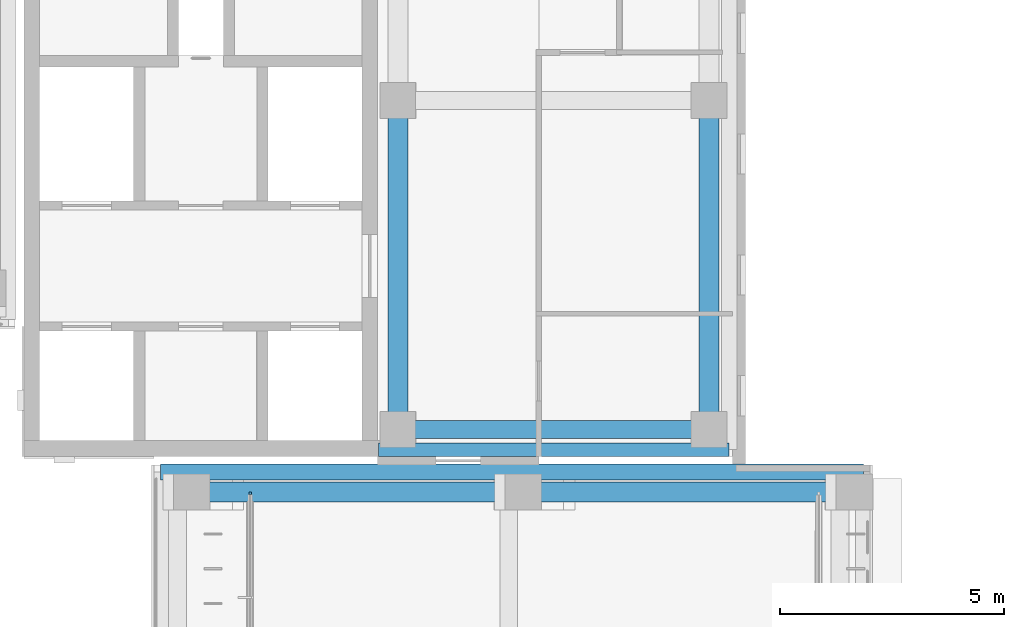
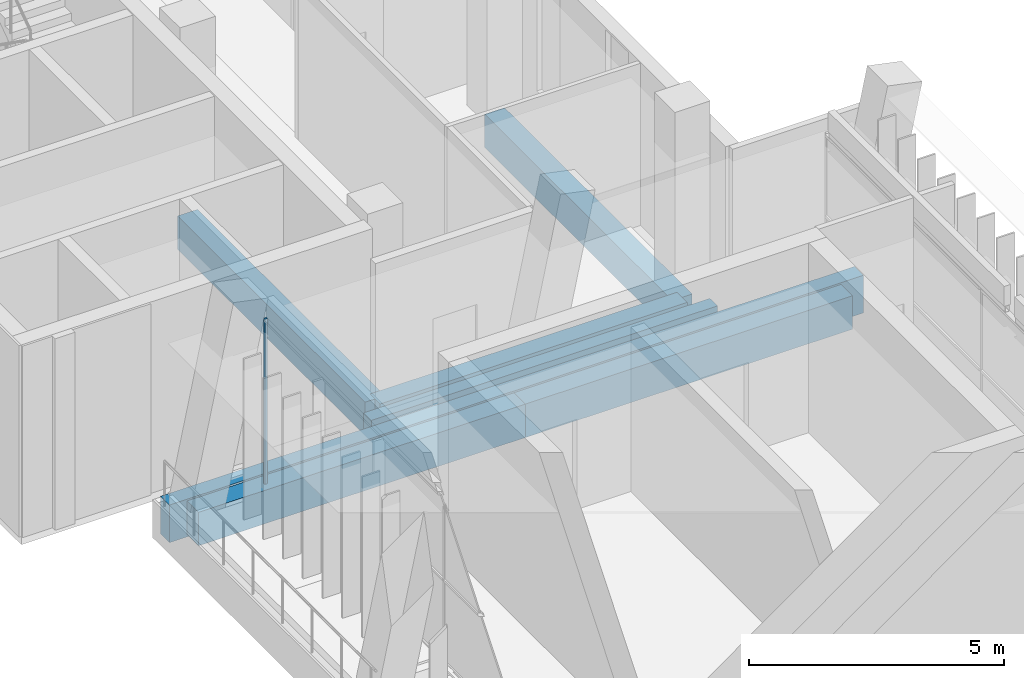
# One storey, part 45 of 89: 7 beams, 1 member, 1 element without a shape of its own.
"""IFC4 building model written with IfcOpenShell, lengths in metres."""

from ifc_helpers import new_model, si_unit, direction, frame, origin, origin_2d, place, context, subcontext, project, spatial, rectangle, extrude, material, material_profile, profile_set, type_object, element, aggregate, save


model = new_model("IFC4")

# Units and contexts
model_context = context("Model", 3, precision=1e-05, world=origin(), true_north=direction((0.0, 1.0)))
body_context = subcontext(model_context, "Body", "Model", "MODEL_VIEW")
ifc_project = project(units=[si_unit("LENGTHUNIT", "METRE"), si_unit("AREAUNIT", "SQUARE_METRE"), si_unit("VOLUMEUNIT", "CUBIC_METRE"), si_unit("PLANEANGLEUNIT", "RADIAN"), si_unit("MASSUNIT", "GRAM", prefix="KILO")], contexts=[model_context])

# Site, building, storey
site_placement = place(None, origin())
site = spatial("IfcSite", under=ifc_project, at=site_placement, CompositionType="ELEMENT")
building_placement = place(site_placement, origin())
building = spatial("IfcBuilding", under=site, at=building_placement, Name="Lantern Court Media Centre", CompositionType="ELEMENT")
storey_placement = place(building_placement, frame((0.0, 0.0, 14.39990234375)))
storey = spatial("IfcBuildingStorey", under=building, at=storey_placement, Name="L03", CompositionType="ELEMENT", Elevation=14.39990234375)

# Curtain wall, member
ifc_material_1 = material(Name="Curtain wall bay 2400")
curtain_wall_type = type_object("IfcCurtainWallType", Name="Curtain wall bay 2400", PredefinedType="NOTDEFINED", material=ifc_material_1)
curtain_wall_placement = place(storey_placement, origin())
curtain_wall = element("IfcCurtainWall", 1, at=curtain_wall_placement, inside=storey, type_object=curtain_wall_type, Name="Curtain wall E inner L03", PredefinedType="NOTDEFINED")
ifc_material_2 = material(Name="Anodised aluminium", Category="aluminium")
ifc_material_profile_1 = material_profile(ifc_material_2, rectangle(XDim=0.06005859375, YDim=0.050048828125, at=origin_2d()), Name="AL 50x60")
ifc_profile_set_1 = profile_set([ifc_material_profile_1], Name="Anodised aluminium")
member_type = type_object("IfcMemberType", Name="Curtain wall mullion 50x60", PredefinedType="MULLION", material=ifc_profile_set_1)
member_placement = place(storey_placement, frame((85.14990234375, 95.27490234375, 0.0), z_axis=(0.0, 0.0, 1.0), x_axis=(-1.0, 0.0, 0.0)))
member = element("IfcMember", 2, at=member_placement, type_object=member_type, Name="CW2 mullion 14", PredefinedType="MULLION", context=body_context, shape_type="SweptSolid", body=[
    extrude(rectangle(XDim=0.06005859375, YDim=0.050048828125, at=origin_2d()), origin(), (0.0, 0.0, 1.0), 3.9501953125),
])
aggregate(curtain_wall, [member])

# Beams
ifc_material_3 = material(Name="Concrete C35", Category="concrete")
ifc_material_profile_2 = material_profile(ifc_material_3, rectangle(XDim=0.300048828125, YDim=0.89990234375, at=origin_2d()), Name="RC 300x900")
ifc_profile_set_2 = profile_set([ifc_material_profile_2], Name="Concrete C35")
beam_type_1 = type_object("IfcBeamType", Name="RC BEAM 300x900", PredefinedType="BEAM", material=ifc_profile_set_2)
beam_1_placement = place(storey_placement, frame((88.02001953125, 96.25, -0.449951171875), z_axis=(1.0, 0.0, 0.0), x_axis=(0.0, 1.0, 0.0)))
element("IfcBeam", 3, at=beam_1_placement, inside=storey, type_object=beam_type_1, Name="EB-NE-L03-S", PredefinedType="BEAM", context=body_context, shape_type="SweptSolid", body=[
    extrude(rectangle(XDim=0.300048828125, YDim=0.89990234375, at=origin_2d()), origin(), (0.0, 0.0, 1.0), 7.830078125),
])
ifc_material_profile_3 = material_profile(ifc_material_3, rectangle(XDim=0.35009765625, YDim=0.89990234375, at=origin_2d()), Name="RC 350x900")
ifc_profile_set_3 = profile_set([ifc_material_profile_3], Name="Concrete C35")
beam_type_2 = type_object("IfcBeamType", Name="RC BEAM 350x900", PredefinedType="BEAM", material=ifc_profile_set_3)
beam_2_placement = place(storey_placement, frame((83.14990234375, 95.75, -0.449951171875), z_axis=(1.0, 0.0, 0.0), x_axis=(0.0, 1.0, 0.0)))
element("IfcBeam", 4, at=beam_2_placement, inside=storey, type_object=beam_type_2, Name="EB-E-L03-D", PredefinedType="BEAM", context=body_context, shape_type="SweptSolid", body=[
    extrude(rectangle(XDim=0.35009765625, YDim=0.89990234375, at=origin_2d()), origin(), (0.0, 0.0, 1.0), 15.7001953125),
])
ifc_material_profile_4 = material_profile(ifc_material_3, rectangle(XDim=0.39990234375, YDim=0.800048828125, at=origin_2d()), Name="RC 400x800")
ifc_profile_set_4 = profile_set([ifc_material_profile_4], Name="Concrete C35")
beam_type_3 = type_object("IfcBeamType", Name="RC BEAM 400x800", PredefinedType="BEAM", material=ifc_profile_set_4)
beam_3_placement = place(storey_placement, frame((88.449951171875, 96.699951171875, -0.39990234375), z_axis=(1.0, 0.0, 0.0), x_axis=(0.0, 1.0, 0.0)))
element("IfcBeam", 5, at=beam_3_placement, inside=storey, type_object=beam_type_3, Name="BB-NE-L03-Y0-96", PredefinedType="BEAM", context=body_context, shape_type="SweptSolid", body=[
    extrude(rectangle(XDim=0.39990234375, YDim=0.800048828125, at=origin_2d()), origin(), (0.0, 0.0, 1.0), 6.949951171875),
])
ifc_material_profile_5 = material_profile(ifc_material_3, rectangle(XDim=0.449951171875, YDim=0.800048828125, at=origin_2d()), Name="RC 450x800")
ifc_profile_set_5 = profile_set([ifc_material_profile_5], Name="Concrete C35")
beam_type_4 = type_object("IfcBeamType", Name="RC BEAM 450x800", PredefinedType="BEAM", material=ifc_profile_set_5)
for number, where, z_axis, x_axis, name in (
    (6, (88.449951171875, 96.699951171875, -0.39990234375), (0.0, 1.0, 0.0), (-1.0, 0.0, 0.0), "BB-NE-L03-X0-88"),
    (7, (95.39990234375, 96.699951171875, -0.39990234375), (0.0, 1.0, 0.0), (-1.0, 0.0, 0.0), "BB-NE-L03-X0-95"),
):
    element("IfcBeam", number, at=place(storey_placement, frame(where, z_axis=z_axis, x_axis=x_axis)), inside=storey, type_object=beam_type_4, Name=name, PredefinedType="BEAM", context=body_context, shape_type="SweptSolid", body=[
        extrude(rectangle(XDim=0.449951171875, YDim=0.800048828125, at=origin_2d()), origin(), (0.0, 0.0, 1.0), 7.35009765625),
    ])
beam_4_placement = place(storey_placement, frame((83.5166015625, 95.300048828125, -0.39990234375), z_axis=(1.0, 0.0, 0.0), x_axis=(0.0, 1.0, 0.0)))
element("IfcBeam", 8, at=beam_4_placement, inside=storey, type_object=beam_type_4, Name="TB-E-L03-4-1", PredefinedType="BEAM", context=body_context, shape_type="SweptSolid", body=[
    extrude(rectangle(XDim=0.449951171875, YDim=0.800048828125, at=origin_2d()), origin(), (0.0, 0.0, 1.0), 7.400146484375),
])
beam_5_placement = place(storey_placement, frame((90.916748046875, 95.300048828125, -0.39990234375), z_axis=(1.0, 0.0, 0.0), x_axis=(0.0, 1.0, 0.0)))
element("IfcBeam", 9, at=beam_5_placement, inside=storey, type_object=beam_type_4, Name="TB-E-L03-4-2", PredefinedType="BEAM", context=body_context, shape_type="SweptSolid", body=[
    extrude(rectangle(XDim=0.449951171875, YDim=0.800048828125, at=origin_2d()), origin(), (0.0, 0.0, 1.0), 7.39990234375),
])

save(model, "model.ifc")
